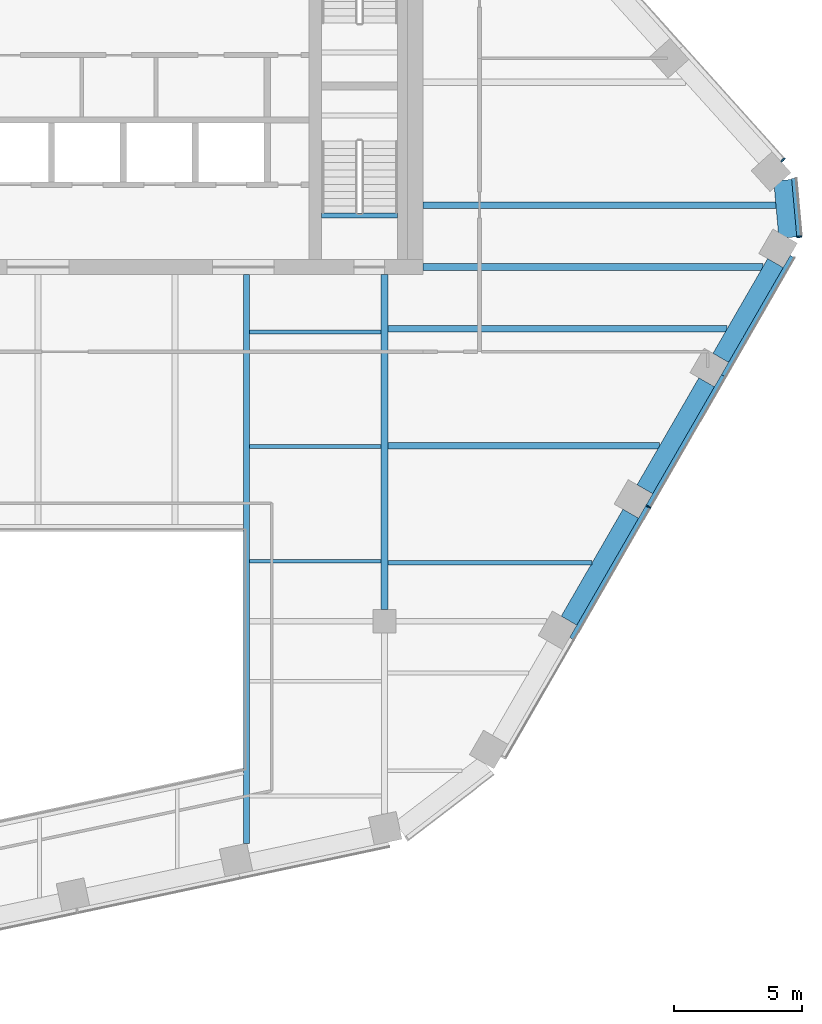
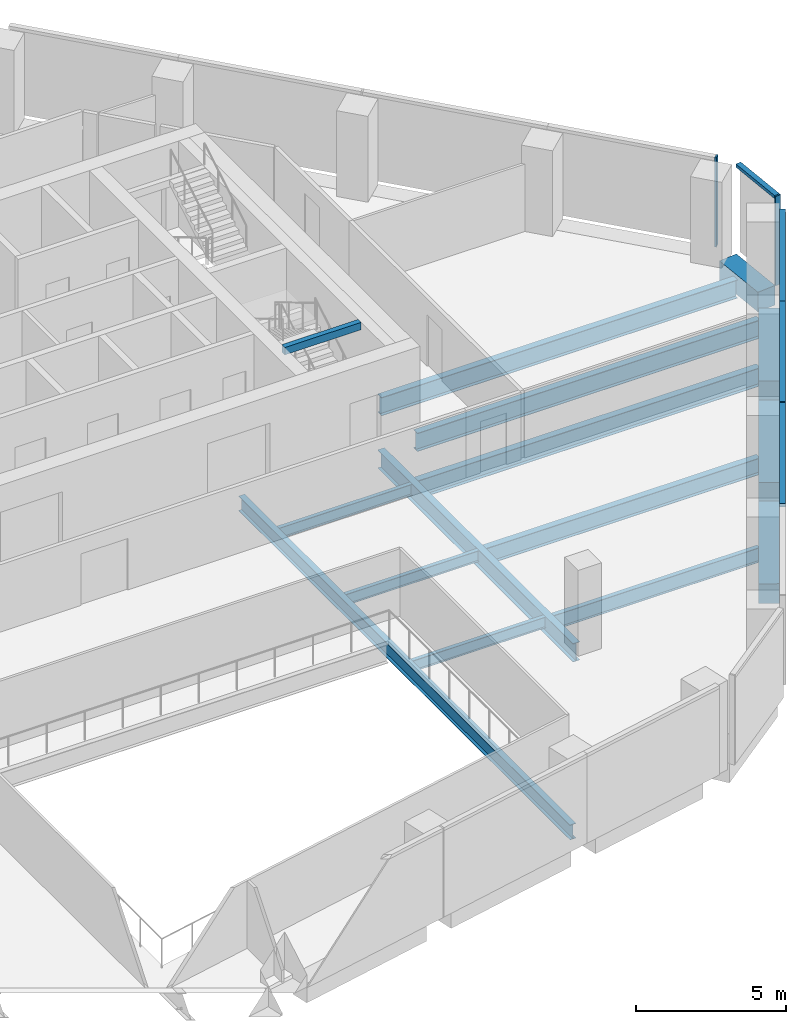
# One storey, part 5 of 15: 15 beams, 7 members, 3 elements without a shape of their own.
"""IFC4 building model written with IfcOpenShell, lengths in metres."""

from ifc_helpers import new_model, si_unit, direction, frame, origin, origin_2d, place, context, subcontext, project, spatial, rectangle, i_section, extrude, material, layer, layer_set, material_profile, profile_set, type_object, element, aggregate, save


model = new_model("IFC4")

# Units and contexts
model_context = context("Model", 3, precision=1e-05, world=origin(), true_north=direction((0.0, 1.0)))
body_context = subcontext(model_context, "Body", "Model", "MODEL_VIEW")
ifc_project = project(units=[si_unit("LENGTHUNIT", "METRE"), si_unit("AREAUNIT", "SQUARE_METRE"), si_unit("VOLUMEUNIT", "CUBIC_METRE"), si_unit("PLANEANGLEUNIT", "RADIAN"), si_unit("MASSUNIT", "GRAM", prefix="KILO")], contexts=[model_context])

# Site, building, storey
site_placement = place(None, origin())
site = spatial("IfcSite", under=ifc_project, at=site_placement, CompositionType="ELEMENT")
building_placement = place(site_placement, origin())
building = spatial("IfcBuilding", under=site, at=building_placement, Name="Isthmus Gate Tower", CompositionType="ELEMENT")
storey_placement = place(building_placement, frame((0.0, 0.0, 227.25)))
storey = spatial("IfcBuildingStorey", under=building, at=storey_placement, Name="L57", CompositionType="ELEMENT", Elevation=227.25)

# Curtain wall, member
ifc_material_1 = material(Name="Aluminium, pale champagne anodised", Category="aluminium")
ifc_layer = layer(ifc_material_1, 0.199951171875)
ifc_layer_set = layer_set([ifc_layer], Name="CW-1 UNITISED CURTAIN WALL 200 DEEP")
curtain_wall_type = type_object("IfcCurtainWallType", Name="CW-1 UNITISED CURTAIN WALL 200 DEEP", PredefinedType="NOTDEFINED", material=ifc_layer_set)
curtain_wall_1_placement = place(storey_placement, origin())
curtain_wall_1 = element("IfcCurtainWall", 1, at=curtain_wall_1_placement, inside=storey, type_object=curtain_wall_type, Name="CW-1 SE L57", PredefinedType="NOTDEFINED")
ifc_material_2 = material(Name="Aluminium, pale champagne anodised", Category="aluminium")
ifc_material_profile_1 = material_profile(ifc_material_2, rectangle(XDim=0.06005859375, YDim=0.199951171875, at=origin_2d()), Name="60x200")
ifc_profile_set_1 = profile_set([ifc_material_profile_1], Name="Aluminium, pale champagne anodised")
member_type_1 = type_object("IfcMemberType", Name="CW-1 MULLION 60 X 200", PredefinedType="MULLION", material=ifc_profile_set_1)
member_1_placement = place(storey_placement, frame((23.767333984375, -9.033935546875, 0.0), z_axis=(0.0, 0.0, 1.0), x_axis=(0.5, 0.866025403784, 0.0)))
member_1 = element("IfcMember", 2, at=member_1_placement, type_object=member_type_1, Name="CW-1 mullion", PredefinedType="MULLION", context=body_context, shape_type="SweptSolid", body=[
    extrude(rectangle(XDim=0.06005859375, YDim=0.199951171875, at=origin_2d()), origin(), (0.0, 0.0, 1.0), 3.64990234375),
])

curtain_wall_2_placement = place(storey_placement, origin())
curtain_wall_2 = element("IfcCurtainWall", 3, at=curtain_wall_2_placement, inside=storey, type_object=curtain_wall_type, Name="CW-1 SE-NE L57", PredefinedType="NOTDEFINED")
member_2_placement = place(storey_placement, frame((29.654296875, 1.4765625, 0.0), z_axis=(0.0, 0.0, 1.0), x_axis=(-0.089396669717, 0.995996102123, 0.0)))
member_2 = element("IfcMember", 4, at=member_2_placement, type_object=member_type_1, Name="CW-1 mullion", PredefinedType="MULLION", context=body_context, shape_type="SweptSolid", body=[
    extrude(rectangle(XDim=0.06005859375, YDim=0.199951171875, at=origin_2d()), origin(), (0.0, 0.0, 1.0), 3.64990234375),
])

curtain_wall_3_placement = place(storey_placement, origin())
curtain_wall_3 = element("IfcCurtainWall", 5, at=curtain_wall_3_placement, inside=storey, type_object=curtain_wall_type, Name="CW-1 NE L57", PredefinedType="NOTDEFINED")
member_3_placement = place(storey_placement, frame((29.016357421875, 4.46923828125, 0.0), z_axis=(0.0, 0.0, 1.0), x_axis=(-0.669130606359, 0.743144825477, 0.0)))
member_3 = element("IfcMember", 6, at=member_3_placement, type_object=member_type_1, Name="CW-1 mullion", PredefinedType="MULLION", context=body_context, shape_type="SweptSolid", body=[
    extrude(rectangle(XDim=0.06005859375, YDim=0.199951171875, at=origin_2d()), origin(), (0.0, 0.0, 1.0), 3.64990234375),
])
aggregate(curtain_wall_3, [member_3])

# Member
ifc_material_3 = material(Name="Aluminium, pale champagne anodised", Category="aluminium")
ifc_material_profile_2 = material_profile(ifc_material_3, rectangle(XDim=0.199951171875, YDim=0.1298828125, at=origin_2d()), Name="200x130")
ifc_profile_set_2 = profile_set([ifc_material_profile_2], Name="Aluminium, pale champagne anodised")
member_type_2 = type_object("IfcMemberType", Name="CW-1 TRANSOM 200 X 130", PredefinedType="USERDEFINED", material=ifc_profile_set_2)
member_4_placement = place(storey_placement, frame((20.796875, -14.178466796875, 3.5849609375), z_axis=(0.500008496284, 0.866020498397, 0.0), x_axis=(-0.866020498397, 0.500008496284, 0.0)))
member_4 = element("IfcMember", 7, at=member_4_placement, type_object=member_type_2, Name="CW-1 transom", ObjectType="TRANSOM", PredefinedType="USERDEFINED", context=body_context, shape_type="SweptSolid", body=[
    extrude(rectangle(XDim=0.199951171875, YDim=0.1298828125, at=origin_2d()), origin(), (0.0, 0.0, 1.0), 5.91064453125),
])

member_5_placement = place(storey_placement, frame((23.7822265625, -9.0078125, 3.5849609375), z_axis=(0.500007820066, 0.86602088882, 0.0), x_axis=(-0.86602088882, 0.500007820066, 0.0)))
member_5 = element("IfcMember", 8, at=member_5_placement, type_object=member_type_2, Name="CW-1 transom", ObjectType="TRANSOM", PredefinedType="USERDEFINED", context=body_context, shape_type="SweptSolid", body=[
    extrude(rectangle(XDim=0.199951171875, YDim=0.1298828125, at=origin_2d()), origin(), (0.0, 0.0, 1.0), 5.8505859375),
])

member_6_placement = place(storey_placement, frame((26.70751953125, -3.941162109375, 3.5849609375), z_axis=(0.50002338526, 0.866011901877, 0.0), x_axis=(-0.866011901877, 0.50002338526, 0.0)))
member_6 = element("IfcMember", 9, at=member_6_placement, type_object=member_type_2, Name="CW-1 transom", ObjectType="TRANSOM", PredefinedType="USERDEFINED", context=body_context, shape_type="SweptSolid", body=[
    extrude(rectangle(XDim=0.199951171875, YDim=0.1298828125, at=origin_2d()), origin(), (0.0, 0.0, 1.0), 5.360595703125),
])

aggregate(curtain_wall_1, [member_4, member_1, member_5, member_6])

member_7_placement = place(storey_placement, frame((29.651611328125, 1.506591796875, 3.5849609375), z_axis=(-0.089395362867, 0.995996219419, 0.0), x_axis=(-0.995996219419, -0.089395362867, 0.0)))
member_7 = element("IfcMember", 10, at=member_7_placement, type_object=member_type_2, Name="CW-1 transom", ObjectType="TRANSOM", PredefinedType="USERDEFINED", context=body_context, shape_type="SweptSolid", body=[
    extrude(rectangle(XDim=0.199951171875, YDim=0.1298828125, at=origin_2d()), origin(), (0.0, 0.0, 1.0), 2.258544921875),
])

aggregate(curtain_wall_2, [member_2, member_7])

# Beams
ifc_material_4 = material(Name="Concrete f'c 50 MPa", Category="concrete")
ifc_material_profile_3 = material_profile(ifc_material_4, rectangle(XDim=0.699951171875, YDim=0.800048828125, at=origin_2d()), Name="RC 700X800")
ifc_profile_set_3 = profile_set([ifc_material_profile_3], Name="Concrete f'c 50 MPa")
beam_type_1 = type_object("IfcBeamType", Name="RC SPANDREL 700 X 800", PredefinedType="SPANDREL", material=ifc_profile_set_3)
beam_1_placement = place(storey_placement, frame((29.0048828125, 3.678466796875, -0.39990234375), z_axis=(0.089359478208, -0.995999439585, 0.0), x_axis=(0.995999439585, 0.089359478208, 0.0)))
element("IfcBeam", 11, at=beam_1_placement, inside=storey, type_object=beam_type_1, Name="str-spandrel-L57-05", PredefinedType="SPANDREL", context=body_context, shape_type="SweptSolid", body=[
    extrude(rectangle(XDim=0.699951171875, YDim=0.800048828125, at=origin_2d()), origin(), (0.0, 0.0, 1.0), 2.245849609375),
])
beam_2_placement = place(storey_placement, frame((28.72314453125, 0.449951171875, -0.39990234375), z_axis=(-0.500021719575, -0.866012863619, 0.0), x_axis=(0.866012863619, -0.500021719575, 0.0)))
element("IfcBeam", 12, at=beam_2_placement, inside=storey, type_object=beam_type_1, Name="str-spandrel-L57-06", PredefinedType="SPANDREL", context=body_context, shape_type="SweptSolid", body=[
    extrude(rectangle(XDim=0.699951171875, YDim=0.800048828125, at=origin_2d()), origin(), (0.0, 0.0, 1.0), 4.260498046875),
])
for number, where, z_axis, x_axis, name in (
    (13, (26.04296875, -4.1923828125, -0.39990234375), (-0.500019702373, -0.866014028315, 0.0), (0.866014028315, -0.500019702373, 0.0), "str-spandrel-L57-07"),
    (14, (23.087646484375, -9.31103515625, -0.39990234375), (-0.49998164095, -0.866036003127, 0.0), (0.866036003127, -0.49998164095, 0.0), "str-spandrel-L57-08"),
):
    element("IfcBeam", number, at=place(storey_placement, frame(where, z_axis=z_axis, x_axis=x_axis)), inside=storey, type_object=beam_type_1, Name=name, PredefinedType="SPANDREL", context=body_context, shape_type="SweptSolid", body=[
        extrude(rectangle(XDim=0.699951171875, YDim=0.800048828125, at=origin_2d()), origin(), (0.0, 0.0, 1.0), 4.810791015625),
    ])
ifc_material_5 = material(Name="Concrete f'c 40 MPa", Category="concrete")
ifc_material_profile_4 = material_profile(ifc_material_5, rectangle(XDim=0.199951171875, YDim=0.300048828125, at=origin_2d()), Name="STAIR LANDING BEAM RC 200 X 300")
ifc_profile_set_4 = profile_set([ifc_material_profile_4], Name="Concrete f'c 40 MPa")
beam_type_2 = type_object("IfcBeamType", Name="STAIR LANDING BEAM RC 200 X 300", PredefinedType="BEAM", material=ifc_profile_set_4)
beam_3_placement = place(storey_placement, frame((11.050048828125, 2.2998046875, 3.35009765625), z_axis=(1.0, 0.0, 0.0), x_axis=(0.0, 1.0, 0.0)))
element("IfcBeam", 15, at=beam_3_placement, inside=storey, type_object=beam_type_2, Name="L57 ST8 floor-edge seat beam", PredefinedType="BEAM", context=body_context, shape_type="SweptSolid", body=[
    extrude(rectangle(XDim=0.199951171875, YDim=0.300048828125, at=origin_2d()), origin(), (0.0, 0.0, 1.0), 2.949951171875),
])
ifc_material_6 = material(Name="Structural steel ASTM A992 Gr 50", Category="steel")
ifc_material_profile_5 = material_profile(ifc_material_6, i_section(OverallWidth=0.15234375, OverallDepth=0.45068359375, WebThickness=0.0078125, FlangeThickness=0.010986328125, at=origin_2d()), Name="W18X35")
ifc_profile_set_5 = profile_set([ifc_material_profile_5], Name="Structural steel ASTM A992 Gr 50")
beam_type_3 = type_object("IfcBeamType", Name="STEEL FLOOR BEAM W18X35", PredefinedType="JOIST", material=ifc_profile_set_5)
for number, where, z_axis, x_axis, name in (
    (16, (8.228515625, -11.16259765625, -0.37548828125), (1.0, 0.0, 0.0), (0.0, 1.0, 0.0), "str-beam-L57-10-00"),
    (17, (8.228515625, -6.697509765625, -0.37548828125), (1.0, 0.0, 0.0), (0.0, 1.0, 0.0), "str-beam-L57-10-01"),
    (18, (8.228515625, -2.232421875, -0.37548828125), (1.0, 0.0, 0.0), (0.0, 1.0, 0.0), "str-beam-L57-10-02"),
):
    element("IfcBeam", number, at=place(storey_placement, frame(where, z_axis=z_axis, x_axis=x_axis)), inside=storey, type_object=beam_type_3, Name=name, PredefinedType="JOIST", context=body_context, shape_type="SweptSolid", body=[
        extrude(i_section(OverallWidth=0.15234375, OverallDepth=0.45068359375, WebThickness=0.0078125, FlangeThickness=0.010986328125, at=origin_2d()), origin(), (0.0, 0.0, 1.0), 5.1396484375),
    ])
ifc_material_7 = material(Name="Structural steel ASTM A992 Gr 50", Category="steel")
ifc_material_profile_6 = material_profile(ifc_material_7, i_section(OverallWidth=0.177734375, OverallDepth=0.60009765625, WebThickness=0.009521484375, FlangeThickness=0.0126953125, at=origin_2d()), Name="W24X55")
ifc_profile_set_6 = profile_set([ifc_material_profile_6], Name="Structural steel ASTM A992 Gr 50")
beam_type_4 = type_object("IfcBeamType", Name="STEEL FLOOR BEAM W24X55", PredefinedType="JOIST", material=ifc_profile_set_6)
beam_4_placement = place(storey_placement, frame((13.6318359375, -11.221923828125, -0.449951171875), z_axis=(1.0, 0.0, 0.0), x_axis=(0.0, 1.0, 0.0)))
element("IfcBeam", 19, at=beam_4_placement, inside=storey, type_object=beam_type_4, Name="str-beam-L57-12-00", PredefinedType="JOIST", context=body_context, shape_type="SweptSolid", body=[
    extrude(i_section(OverallWidth=0.177734375, OverallDepth=0.60009765625, WebThickness=0.009521484375, FlangeThickness=0.0126953125, at=origin_2d()), origin(), (0.0, 0.0, 1.0), 7.948486328125),
])
ifc_material_8 = material(Name="Structural steel ASTM A992 Gr 50", Category="steel")
ifc_material_profile_7 = material_profile(ifc_material_8, i_section(OverallWidth=0.25390625, OverallDepth=0.679443359375, WebThickness=0.010986328125, FlangeThickness=0.015869140625, at=origin_2d()), Name="W27X84")
ifc_profile_set_7 = profile_set([ifc_material_profile_7], Name="Structural steel ASTM A992 Gr 50")
beam_type_5 = type_object("IfcBeamType", Name="STEEL FLOOR BEAM W27X84", PredefinedType="JOIST", material=ifc_profile_set_7)
beam_5_placement = place(storey_placement, frame((13.6318359375, -6.665771484375, -0.48974609375), z_axis=(1.0, 0.0, 0.0), x_axis=(0.0, 1.0, 0.0)))
element("IfcBeam", 20, at=beam_5_placement, inside=storey, type_object=beam_type_5, Name="str-beam-L57-12-01", PredefinedType="JOIST", context=body_context, shape_type="SweptSolid", body=[
    extrude(i_section(OverallWidth=0.25390625, OverallDepth=0.679443359375, WebThickness=0.010986328125, FlangeThickness=0.015869140625, at=origin_2d()), origin(), (0.0, 0.0, 1.0), 10.578857421875),
])
ifc_material_9 = material(Name="Structural steel ASTM A992 Gr 50", Category="steel")
ifc_material_profile_8 = material_profile(ifc_material_9, i_section(OverallWidth=0.263427734375, OverallDepth=0.749267578125, WebThickness=0.0126953125, FlangeThickness=0.015869140625, at=origin_2d()), Name="W30X90")
ifc_profile_set_8 = profile_set([ifc_material_profile_8], Name="Structural steel ASTM A992 Gr 50")
beam_type_6 = type_object("IfcBeamType", Name="STEEL FLOOR BEAM W30X90", PredefinedType="JOIST", material=ifc_profile_set_8)
beam_6_placement = place(storey_placement, frame((13.6318359375, -2.10986328125, -0.524658203125), z_axis=(1.0, 0.0, 0.0), x_axis=(0.0, 1.0, 0.0)))
element("IfcBeam", 21, at=beam_6_placement, inside=storey, type_object=beam_type_6, Name="str-beam-L57-12-02", PredefinedType="JOIST", context=body_context, shape_type="SweptSolid", body=[
    extrude(i_section(OverallWidth=0.263427734375, OverallDepth=0.749267578125, WebThickness=0.0126953125, FlangeThickness=0.015869140625, at=origin_2d()), origin(), (0.0, 0.0, 1.0), 13.209228515625),
])
beam_7_placement = place(storey_placement, frame((15.0, 2.699951171875, -0.524658203125), z_axis=(1.0, 0.0, 0.0), x_axis=(0.0, 1.0, 0.0)))
element("IfcBeam", 22, at=beam_7_placement, inside=storey, type_object=beam_type_6, Name="str-beam-L57-13-00", PredefinedType="JOIST", context=body_context, shape_type="SweptSolid", body=[
    extrude(i_section(OverallWidth=0.263427734375, OverallDepth=0.749267578125, WebThickness=0.0126953125, FlangeThickness=0.015869140625, at=origin_2d()), origin(), (0.0, 0.0, 1.0), 13.7412109375),
])
ifc_material_10 = material(Name="Structural steel ASTM A992 Gr 50", Category="steel")
ifc_material_profile_9 = material_profile(ifc_material_10, i_section(OverallWidth=0.263427734375, OverallDepth=0.749267578125, WebThickness=0.0126953125, FlangeThickness=0.015869140625, at=origin_2d()), Name="W30X90")
ifc_profile_set_9 = profile_set([ifc_material_profile_9], Name="Structural steel ASTM A992 Gr 50")
beam_type_7 = type_object("IfcBeamType", Name="STEEL GIRDER W30X90", PredefinedType="BEAM", material=ifc_profile_set_9)
beam_8_placement = place(storey_placement, frame((13.5, -13.050048828125, -0.524658203125), z_axis=(0.0, 1.0, 0.0), x_axis=(-1.0, 0.0, 0.0)))
element("IfcBeam", 23, at=beam_8_placement, inside=storey, type_object=beam_type_7, Name="str-girder-L57-08", PredefinedType="BEAM", context=body_context, shape_type="SweptSolid", body=[
    extrude(i_section(OverallWidth=0.263427734375, OverallDepth=0.749267578125, WebThickness=0.0126953125, FlangeThickness=0.015869140625, at=origin_2d()), origin(), (0.0, 0.0, 1.0), 13.050048828125),
])
beam_9_placement = place(storey_placement, frame((15.0, 0.300048828125, -0.524658203125), z_axis=(1.0, 0.0, 0.0), x_axis=(0.0, 1.0, 0.0)))
element("IfcBeam", 24, at=beam_9_placement, inside=storey, type_object=beam_type_7, Name="str-girder-L57-10", PredefinedType="BEAM", context=body_context, shape_type="SweptSolid", body=[
    extrude(i_section(OverallWidth=0.263427734375, OverallDepth=0.749267578125, WebThickness=0.0126953125, FlangeThickness=0.015869140625, at=origin_2d()), origin(), (0.0, 0.0, 1.0), 13.232421875),
])
ifc_material_11 = material(Name="Structural steel ASTM A992 Gr 50", Category="steel")
ifc_material_profile_10 = material_profile(ifc_material_11, i_section(OverallWidth=0.228515625, OverallDepth=0.6064453125, WebThickness=0.010986328125, FlangeThickness=0.017578125, at=origin_2d()), Name="W24X76")
ifc_profile_set_10 = profile_set([ifc_material_profile_10], Name="Structural steel ASTM A992 Gr 50")
beam_type_8 = type_object("IfcBeamType", Name="STEEL TRIMMER W24X76", PredefinedType="BEAM", material=ifc_profile_set_10)
beam_10_placement = place(storey_placement, frame((8.1142578125, -22.150634765625, -0.453125), z_axis=(0.0, 1.0, 0.0), x_axis=(-1.0, 0.0, 0.0)))
element("IfcBeam", 25, at=beam_10_placement, inside=storey, type_object=beam_type_8, Name="str-trimmer-L57-01", PredefinedType="BEAM", context=body_context, shape_type="SweptSolid", body=[
    extrude(i_section(OverallWidth=0.228515625, OverallDepth=0.6064453125, WebThickness=0.010986328125, FlangeThickness=0.017578125, at=origin_2d()), origin(), (0.0, 0.0, 1.0), 22.150634765625),
])

save(model, "model.ifc")
